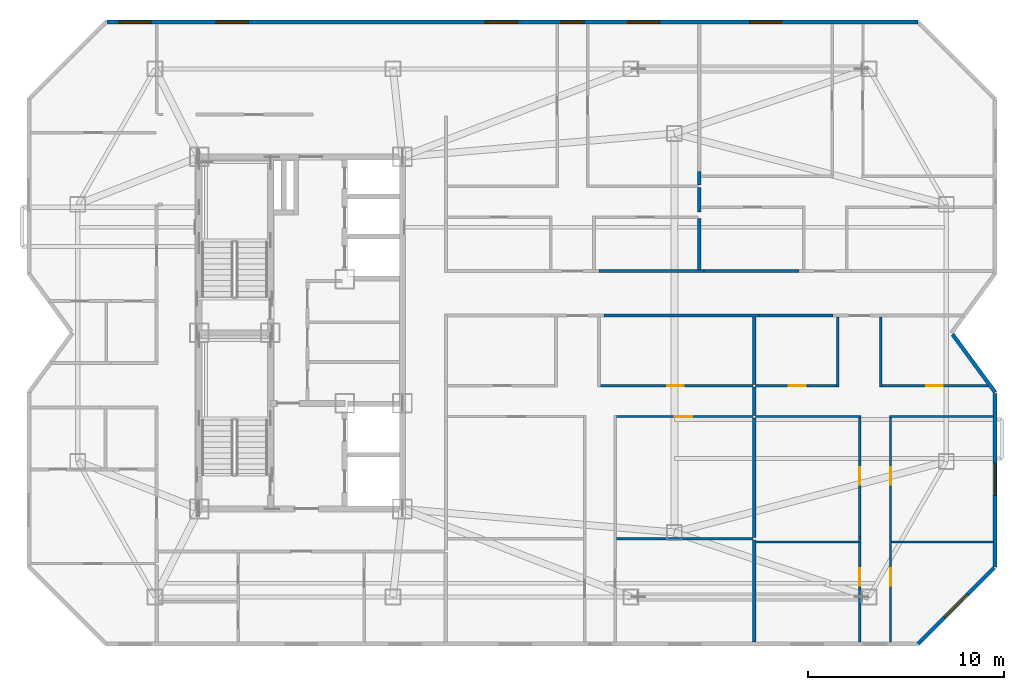
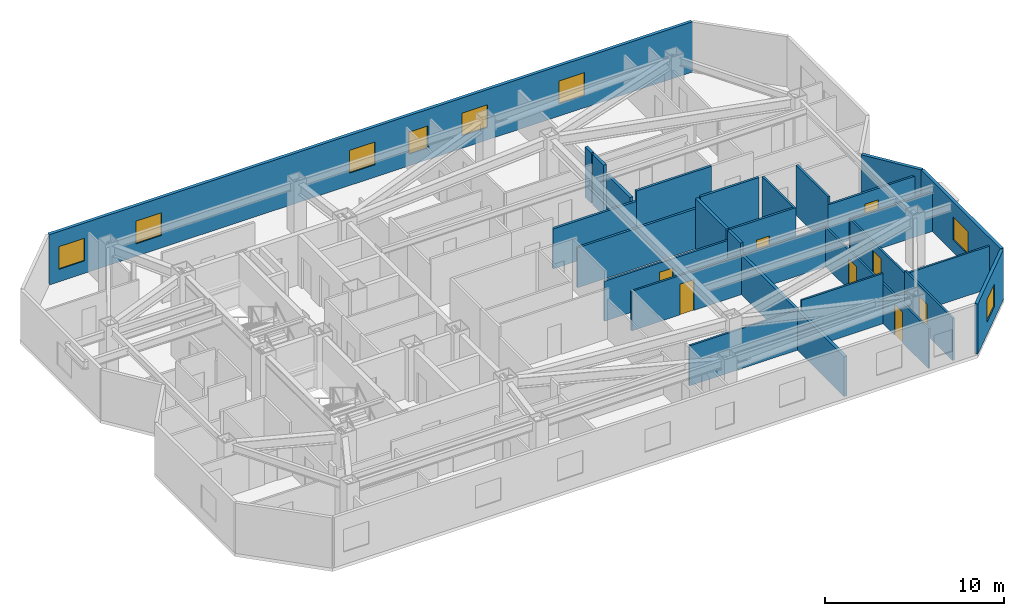
# One storey, part 7 of 9: 30 walls, 8 doors, 8 windows, 16 openings.
"""IFC4 building model written with IfcOpenShell, lengths in metres."""

from ifc_helpers import new_model, si_unit, direction, frame, frame_2d, origin, place, context, subcontext, project, spatial, rectangle, extrude, material, layer, layer_set, type_object, element, fill, save


model = new_model("IFC4")

# Units and contexts
model_context = context("Model", 3, precision=1e-05, world=origin(), true_north=direction((0.0, 1.0)))
body_context = subcontext(model_context, "Body", "Model", "MODEL_VIEW")
ifc_project = project(units=[si_unit("LENGTHUNIT", "METRE"), si_unit("AREAUNIT", "SQUARE_METRE"), si_unit("VOLUMEUNIT", "CUBIC_METRE"), si_unit("PLANEANGLEUNIT", "RADIAN"), si_unit("MASSUNIT", "GRAM", prefix="KILO")], contexts=[model_context])

# Site, building, storey
site_placement = place(None, origin())
site = spatial("IfcSite", under=ifc_project, at=site_placement, CompositionType="ELEMENT")
building_placement = place(site_placement, origin())
building = spatial("IfcBuilding", under=site, at=building_placement, Name="Khamvora Tower", CompositionType="ELEMENT")
storey_placement = place(building_placement, frame((0.0, 0.0, 235.449951171875)))
storey = spatial("IfcBuildingStorey", under=building, at=storey_placement, Name="L60", CompositionType="ELEMENT", Elevation=235.449951171875)

# Walls
ifc_material_1 = material(Name="Fire-Rated Drywall and Steel Stud", Category="steel")
ifc_layer_1 = layer(ifc_material_1, 0.14990234375)
ifc_layer_set_1 = layer_set([ifc_layer_1], Name="Fire-Rated Drywall and Steel Stud")
wall_type_1 = type_object("IfcWallType", Name="WAL-CORR-150", PredefinedType="STANDARD", material=ifc_layer_set_1)
wall_1_placement = place(storey_placement, frame((57.634033203125, 28.885009765625, 0.0), z_axis=(0.0, 0.0, 1.0), x_axis=(-1.0, 0.0, 0.0)))
element("IfcWall", 1, at=wall_1_placement, inside=storey, type_object=wall_type_1, Name="L60 interior partition wall 024", PredefinedType="STANDARD", context=body_context, shape_type="SweptSolid", body=[
    extrude(rectangle(XDim=7.93505859375, YDim=0.14990234375, at=frame_2d((3.967529296875, 0.0))), origin(), (0.0, 0.0, 1.0), 2.72509765625),
])
wall_2_placement = place(storey_placement, frame((61.407958984375, 28.885009765625, 0.0), z_axis=(0.0, 0.0, 1.0), x_axis=(-1.0, 0.0, 0.0)))
element("IfcWall", 2, at=wall_2_placement, inside=storey, type_object=wall_type_1, Name="L60 interior partition wall 028", PredefinedType="STANDARD", context=body_context, shape_type="SweptSolid", body=[
    extrude(rectangle(XDim=3.77392578125, YDim=0.14990234375, at=frame_2d((1.886962890625, 0.0))), origin(), (0.0, 0.0, 1.0), 3.429931640625),
])
wall_3_placement = place(storey_placement, frame((49.43896484375, 31.1650390625, 0.0), z_axis=(0.0, 0.0, 1.0), x_axis=(1.0, 0.0, 0.0)))
element("IfcWall", 3, at=wall_3_placement, inside=storey, type_object=wall_type_1, Name="L60 interior partition wall 034", PredefinedType="STANDARD", context=body_context, shape_type="SweptSolid", body=[
    extrude(rectangle(XDim=5.375, YDim=0.14990234375, at=frame_2d((2.6875, 0.0))), origin(), (0.0, 0.0, 1.0), 2.72509765625),
])
wall_4_placement = place(storey_placement, frame((54.81396484375, 31.1650390625, 0.0), z_axis=(0.0, 0.0, 1.0), x_axis=(1.0, 0.0, 0.0)))
element("IfcWall", 4, at=wall_4_placement, inside=storey, type_object=wall_type_1, Name="L60 interior partition wall 037", PredefinedType="STANDARD", context=body_context, shape_type="SweptSolid", body=[
    extrude(rectangle(XDim=4.846923828125, YDim=0.14990234375, at=frame_2d((2.42333984375, 0.0))), origin(), (0.0, 0.0, 1.0), 3.429931640625),
])
ifc_material_2 = material(Name="Acoustic Double-Stud Fire Wall", Category="gypsum")
ifc_layer_2 = layer(ifc_material_2, 0.179931640625)
ifc_layer_set_2 = layer_set([ifc_layer_2], Name="Acoustic Double-Stud Fire Wall")
wall_type_2 = type_object("IfcWallType", Name="WAL-CORR-180", PredefinedType="STANDARD", material=ifc_layer_set_2)
wall_5_placement = place(storey_placement, frame((57.385009765625, 25.239990234375, 0.0), z_axis=(0.0, 0.0, 1.0), x_axis=(0.0, -1.0, 0.0)))
element("IfcWall", 5, at=wall_5_placement, inside=storey, type_object=wall_type_2, Name="L60 interior partition wall 067", PredefinedType="STANDARD", context=body_context, shape_type="SweptSolid", body=[
    extrude(rectangle(XDim=1.449951171875, YDim=0.179931640625, at=frame_2d((0.72509765625, 0.0))), origin(), (0.0, 0.0, 1.0), 3.429931640625),
])
wall_6_placement = place(storey_placement, frame((57.385009765625, 28.820068359375, 0.0), z_axis=(0.0, 0.0, 1.0), x_axis=(0.0, -1.0, 0.0)))
element("IfcWall", 6, at=wall_6_placement, inside=storey, type_object=wall_type_2, Name="L60 interior partition wall 068", PredefinedType="STANDARD", context=body_context, shape_type="SweptSolid", body=[
    extrude(rectangle(XDim=3.449951171875, YDim=0.179931640625, at=frame_2d((1.72509765625, 0.0))), origin(), (0.0, 0.0, 1.0), 3.429931640625),
])
wall_7_placement = place(storey_placement, frame((57.385009765625, 17.409912109375, 0.0), z_axis=(0.0, 0.0, 1.0), x_axis=(0.0, -1.0, 0.0)))
element("IfcWall", 7, at=wall_7_placement, inside=storey, type_object=wall_type_2, Name="L60 interior partition wall 071", PredefinedType="STANDARD", context=body_context, shape_type="SweptSolid", body=[
    extrude(rectangle(XDim=5.218017578125, YDim=0.179931640625, at=frame_2d((2.60888671875, 0.0))), origin(), (0.0, 0.0, 1.0), 2.72509765625),
])
wall_8_placement = place(storey_placement, frame((57.385009765625, 23.659912109375, 0.0), z_axis=(0.0, 0.0, 1.0), x_axis=(0.0, -1.0, 0.0)))
element("IfcWall", 8, at=wall_8_placement, inside=storey, type_object=wall_type_2, Name="L60 interior partition wall 072", PredefinedType="STANDARD", context=body_context, shape_type="SweptSolid", body=[
    extrude(rectangle(XDim=6.119873046875, YDim=0.179931640625, at=frame_2d((3.06005859375, 0.0))), origin(), (0.0, 0.0, 1.0), 2.68701171875),
])
wall_9_placement = place(storey_placement, frame((54.56494140625, 35.428955078125, 0.0), z_axis=(0.0, 0.0, 1.0), x_axis=(0.0, -1.0, 0.0)))
element("IfcWall", 9, at=wall_9_placement, inside=storey, type_object=wall_type_2, Name="L60 interior partition wall 093", PredefinedType="STANDARD", context=body_context, shape_type="SweptSolid", body=[
    extrude(rectangle(XDim=1.25390625, YDim=0.179931640625, at=frame_2d((0.626953125, 0.0))), origin(), (0.0, 0.0, 1.0), 3.429931640625),
])
wall_10_placement = place(storey_placement, frame((54.56494140625, 33.84912109375, 0.0), z_axis=(0.0, 0.0, 1.0), x_axis=(0.0, -1.0, 0.0)))
element("IfcWall", 10, at=wall_10_placement, inside=storey, type_object=wall_type_2, Name="L60 interior partition wall 094", PredefinedType="STANDARD", context=body_context, shape_type="SweptSolid", body=[
    extrude(rectangle(XDim=2.619140625, YDim=0.179931640625, at=frame_2d((1.3095703125, 0.0))), origin(), (0.0, 0.0, 1.0), 3.012939453125),
])
wall_11_placement = place(storey_placement, frame((54.56494140625, 36.2529296875, 0.0), z_axis=(0.0, 0.0, 1.0), x_axis=(0.0, -1.0, 0.0)))
element("IfcWall", 11, at=wall_11_placement, inside=storey, type_object=wall_type_2, Name="L60 interior partition wall 095", PredefinedType="STANDARD", context=body_context, shape_type="SweptSolid", body=[
    extrude(rectangle(XDim=0.69384765625, YDim=0.179931640625, at=frame_2d((0.346923828125, 0.0))), origin(), (0.0, 0.0, 1.0), 3.429931640625),
])

# Wall, openings, windows
ifc_material_3 = material(Name="Precast concrete C40/50", Category="concrete")
ifc_layer_3 = layer(ifc_material_3, 0.199951171875)
ifc_layer_set_3 = layer_set([ifc_layer_3], Name="Precast concrete C40/50")
wall_type_3 = type_object("IfcWallType", Name="WAL-EXT-200", PredefinedType="STANDARD", material=ifc_layer_set_3)
wall_12_placement = place(storey_placement, frame((24.302001953125, 43.89990234375, 0.0), z_axis=(0.0, 0.0, 1.0), x_axis=(1.0, 0.0, 0.0)))
wall_12 = element("IfcWall", 12, at=wall_12_placement, inside=storey, type_object=wall_type_3, Name="L60 exterior facade wall 07.1", PredefinedType="STANDARD", context=body_context, shape_type="SweptSolid", body=[
    extrude(rectangle(XDim=41.45703125, YDim=0.199951171875, at=frame_2d((20.728515625, 0.0))), origin(), (0.0, 0.0, 1.0), 3.429931640625),
])
opening_1_placement = place(wall_12_placement, frame((5.572998046875, 0.0, 0.85009765625)))
opening_1 = element("IfcOpeningElement", 13, at=opening_1_placement, cuts=wall_12, Name="Opening WN-06", PredefinedType="OPENING", context=body_context, shape_type="SweptSolid", body=[
    extrude(rectangle(XDim=1.64990234375, YDim=1.550048828125, at=frame_2d((0.824951171875, 0.77490234375))), frame((0.0, 0.10986328125, 0.0), z_axis=(0.0, -1.0, 0.0), x_axis=(1.0, 0.0, 0.0)), (0.0, 0.0, 1.0), 0.219970703125),
])
opening_2_placement = place(wall_12_placement, frame((0.60400390625, 0.0, 0.85009765625)))
opening_2 = element("IfcOpeningElement", 14, at=opening_2_placement, cuts=wall_12, Name="Opening WN-06", PredefinedType="OPENING", context=body_context, shape_type="SweptSolid", body=[
    extrude(rectangle(XDim=1.64990234375, YDim=1.550048828125, at=frame_2d((0.824951171875, 0.77490234375))), frame((0.0, 0.10986328125, 0.0), z_axis=(0.0, -1.0, 0.0), x_axis=(1.0, 0.0, 0.0)), (0.0, 0.0, 1.0), 0.219970703125),
])
opening_3_placement = place(wall_12_placement, frame((23.18798828125, 0.0, 0.800048828125)))
opening_3 = element("IfcOpeningElement", 15, at=opening_3_placement, cuts=wall_12, Name="Opening WN-03", PredefinedType="OPENING", context=body_context, shape_type="SweptSolid", body=[
    extrude(rectangle(XDim=1.199951171875, YDim=1.5, at=frame_2d((0.60009765625, 0.75))), frame((0.0, 0.10986328125, 0.0), z_axis=(0.0, -1.0, 0.0), x_axis=(1.0, 0.0, 0.0)), (0.0, 0.0, 1.0), 0.219970703125),
])
opening_4_placement = place(wall_12_placement, frame((19.3330078125, 0.0, 0.85009765625)))
opening_4 = element("IfcOpeningElement", 16, at=opening_4_placement, cuts=wall_12, Name="Opening WN-06", PredefinedType="OPENING", context=body_context, shape_type="SweptSolid", body=[
    extrude(rectangle(XDim=1.64990234375, YDim=1.550048828125, at=frame_2d((0.824951171875, 0.77490234375))), frame((0.0, 0.10986328125, 0.0), z_axis=(0.0, -1.0, 0.0), x_axis=(1.0, 0.0, 0.0)), (0.0, 0.0, 1.0), 0.219970703125),
])
opening_5_placement = place(wall_12_placement, frame((26.593017578125, 0.0, 0.85009765625)))
opening_5 = element("IfcOpeningElement", 17, at=opening_5_placement, cuts=wall_12, Name="Opening WN-06", PredefinedType="OPENING", context=body_context, shape_type="SweptSolid", body=[
    extrude(rectangle(XDim=1.64990234375, YDim=1.550048828125, at=frame_2d((0.824951171875, 0.77490234375))), frame((0.0, 0.10986328125, 0.0), z_axis=(0.0, -1.0, 0.0), x_axis=(1.0, 0.0, 0.0)), (0.0, 0.0, 1.0), 0.219970703125),
])
opening_6_placement = place(wall_12_placement, frame((32.843017578125, 0.0, 0.85009765625)))
opening_6 = element("IfcOpeningElement", 18, at=opening_6_placement, cuts=wall_12, Name="Opening WN-06", PredefinedType="OPENING", context=body_context, shape_type="SweptSolid", body=[
    extrude(rectangle(XDim=1.64990234375, YDim=1.550048828125, at=frame_2d((0.824951171875, 0.77490234375))), frame((0.0, 0.10986328125, 0.0), z_axis=(0.0, -1.0, 0.0), x_axis=(1.0, 0.0, 0.0)), (0.0, 0.0, 1.0), 0.219970703125),
])
ifc_material_4 = material(Name="Low-E Laminated Double Glazing", Category="glass")
window_type_1 = type_object("IfcWindowType", Name="WIN-VIS-1200x1500", PartitioningType="SINGLE_PANEL", PredefinedType="WINDOW", material=ifc_material_4)
window_1_placement = place(opening_3_placement, origin())
window_1 = element("IfcWindow", 19, at=window_1_placement, inside=storey, type_object=window_type_1, Name="L60 vision window 07.1.03", OverallHeight=1.5, OverallWidth=1.199951171875, PartitioningType="SINGLE_PANEL", PredefinedType="WINDOW", context=body_context, shape_type="SweptSolid", body=[
    extrude(rectangle(XDim=1.199951171875, YDim=1.5, at=frame_2d((0.60009765625, 0.75))), frame((0.0, 0.030029296875, 0.0), z_axis=(0.0, -1.0, 0.0), x_axis=(1.0, 0.0, 0.0)), (0.0, 0.0, 1.0), 0.06005859375),
])
fill(opening_3, window_1)
window_type_2 = type_object("IfcWindowType", Name="WIN-VIS-1650x1550", PartitioningType="SINGLE_PANEL", PredefinedType="WINDOW", material=ifc_material_4)
window_2_placement = place(opening_1_placement, origin())
window_2 = element("IfcWindow", 20, at=window_2_placement, inside=storey, type_object=window_type_2, Name="L60 vision window 07.1.01", OverallHeight=1.550048828125, OverallWidth=1.64990234375, PartitioningType="SINGLE_PANEL", PredefinedType="WINDOW", context=body_context, shape_type="SweptSolid", body=[
    extrude(rectangle(XDim=1.64990234375, YDim=1.550048828125, at=frame_2d((0.824951171875, 0.77490234375))), frame((0.0, 0.030029296875, 0.0), z_axis=(0.0, -1.0, 0.0), x_axis=(1.0, 0.0, 0.0)), (0.0, 0.0, 1.0), 0.06005859375),
])
fill(opening_1, window_2)
window_3_placement = place(opening_2_placement, origin())
window_3 = element("IfcWindow", 21, at=window_3_placement, inside=storey, type_object=window_type_2, Name="L60 vision window 07.1.02", OverallHeight=1.550048828125, OverallWidth=1.64990234375, PartitioningType="SINGLE_PANEL", PredefinedType="WINDOW", context=body_context, shape_type="SweptSolid", body=[
    extrude(rectangle(XDim=1.64990234375, YDim=1.550048828125, at=frame_2d((0.824951171875, 0.77490234375))), frame((0.0, 0.030029296875, 0.0), z_axis=(0.0, -1.0, 0.0), x_axis=(1.0, 0.0, 0.0)), (0.0, 0.0, 1.0), 0.06005859375),
])
fill(opening_2, window_3)
window_4_placement = place(opening_4_placement, origin())
window_4 = element("IfcWindow", 22, at=window_4_placement, inside=storey, type_object=window_type_2, Name="L60 vision window 07.1.04", OverallHeight=1.550048828125, OverallWidth=1.64990234375, PartitioningType="SINGLE_PANEL", PredefinedType="WINDOW", context=body_context, shape_type="SweptSolid", body=[
    extrude(rectangle(XDim=1.64990234375, YDim=1.550048828125, at=frame_2d((0.824951171875, 0.77490234375))), frame((0.0, 0.030029296875, 0.0), z_axis=(0.0, -1.0, 0.0), x_axis=(1.0, 0.0, 0.0)), (0.0, 0.0, 1.0), 0.06005859375),
])
fill(opening_4, window_4)
window_5_placement = place(opening_5_placement, origin())
window_5 = element("IfcWindow", 23, at=window_5_placement, inside=storey, type_object=window_type_2, Name="L60 vision window 07.1.05", OverallHeight=1.550048828125, OverallWidth=1.64990234375, PartitioningType="SINGLE_PANEL", PredefinedType="WINDOW", context=body_context, shape_type="SweptSolid", body=[
    extrude(rectangle(XDim=1.64990234375, YDim=1.550048828125, at=frame_2d((0.824951171875, 0.77490234375))), frame((0.0, 0.030029296875, 0.0), z_axis=(0.0, -1.0, 0.0), x_axis=(1.0, 0.0, 0.0)), (0.0, 0.0, 1.0), 0.06005859375),
])
fill(opening_5, window_5)
window_6_placement = place(opening_6_placement, origin())
window_6 = element("IfcWindow", 24, at=window_6_placement, inside=storey, type_object=window_type_2, Name="L60 vision window 07.1.06", OverallHeight=1.550048828125, OverallWidth=1.64990234375, PartitioningType="SINGLE_PANEL", PredefinedType="WINDOW", context=body_context, shape_type="SweptSolid", body=[
    extrude(rectangle(XDim=1.64990234375, YDim=1.550048828125, at=frame_2d((0.824951171875, 0.77490234375))), frame((0.0, 0.030029296875, 0.0), z_axis=(0.0, -1.0, 0.0), x_axis=(1.0, 0.0, 0.0)), (0.0, 0.0, 1.0), 0.06005859375),
])
fill(opening_6, window_6)

# Wall
wall_13_placement = place(storey_placement, frame((67.527099609375, 27.930908203125, 0.0), z_axis=(0.0, 0.0, 1.0), x_axis=(0.591248456881, -0.80648946815, 0.0)))
element("IfcWall", 25, at=wall_13_placement, inside=storey, type_object=wall_type_3, Name="L60 exterior facade wall 11.1", PredefinedType="STANDARD", context=body_context, shape_type="SweptSolid", body=[
    extrude(rectangle(XDim=3.675048828125, YDim=0.199951171875, at=frame_2d((1.83740234375, 0.0))), origin(), (0.0, 0.0, 1.0), 3.429931640625),
])

# Wall, opening, window
wall_14_placement = place(storey_placement, frame((69.699951171875, 24.916015625, 0.0), z_axis=(0.0, 0.0, 1.0), x_axis=(0.0, -1.0, 0.0)))
wall_14 = element("IfcWall", 26, at=wall_14_placement, inside=storey, type_object=wall_type_3, Name="L60 exterior facade wall 12.1", PredefinedType="STANDARD", context=body_context, shape_type="SweptSolid", body=[
    extrude(rectangle(XDim=8.875, YDim=0.199951171875, at=frame_2d((4.4375, 0.0))), origin(), (0.0, 0.0, 1.0), 3.429931640625),
])
opening_7_placement = place(wall_14_placement, frame((3.572021484375, 0.0, 0.85009765625)))
opening_7 = element("IfcOpeningElement", 27, at=opening_7_placement, cuts=wall_14, Name="Opening WN-06", PredefinedType="OPENING", context=body_context, shape_type="SweptSolid", body=[
    extrude(rectangle(XDim=1.64990234375, YDim=1.550048828125, at=frame_2d((0.824951171875, 0.77490234375))), frame((0.0, 0.10986328125, 0.0), z_axis=(0.0, -1.0, 0.0), x_axis=(1.0, 0.0, 0.0)), (0.0, 0.0, 1.0), 0.219970703125),
])
window_7_placement = place(opening_7_placement, origin())
window_7 = element("IfcWindow", 28, at=window_7_placement, inside=storey, type_object=window_type_2, Name="L60 vision window 12.1.01", OverallHeight=1.550048828125, OverallWidth=1.64990234375, PartitioningType="SINGLE_PANEL", PredefinedType="WINDOW", context=body_context, shape_type="SweptSolid", body=[
    extrude(rectangle(XDim=1.64990234375, YDim=1.550048828125, at=frame_2d((0.824951171875, 0.77490234375))), frame((0.0, 0.030029296875, 0.0), z_axis=(0.0, -1.0, 0.0), x_axis=(1.0, 0.0, 0.0)), (0.0, 0.0, 1.0), 0.06005859375),
])
fill(opening_7, window_7)

wall_15_placement = place(storey_placement, frame((69.655029296875, 15.99609375, 0.0), z_axis=(0.0, 0.0, 1.0), x_axis=(-0.707106781187, -0.707106781187, 0.0)))
wall_15 = element("IfcWall", 29, at=wall_15_placement, inside=storey, type_object=wall_type_3, Name="L60 exterior facade wall 13.1", PredefinedType="STANDARD", context=body_context, shape_type="SweptSolid", body=[
    extrude(rectangle(XDim=5.509765625, YDim=0.199951171875, at=frame_2d((2.7548828125, 0.0))), origin(), (0.0, 0.0, 1.0), 3.429931640625),
])
opening_8_placement = place(wall_15_placement, frame((1.929931640625, 0.0, 0.85009765625)))
opening_8 = element("IfcOpeningElement", 30, at=opening_8_placement, cuts=wall_15, Name="Opening WN-06", PredefinedType="OPENING", context=body_context, shape_type="SweptSolid", body=[
    extrude(rectangle(XDim=1.64990234375, YDim=1.550048828125, at=frame_2d((0.824951171875, 0.77490234375))), frame((0.0, 0.10986328125, 0.0), z_axis=(0.0, -1.0, 0.0), x_axis=(1.0, 0.0, 0.0)), (0.0, 0.0, 1.0), 0.219970703125),
])
window_8_placement = place(opening_8_placement, origin())
window_8 = element("IfcWindow", 31, at=window_8_placement, inside=storey, type_object=window_type_2, Name="L60 vision window 13.1.01", OverallHeight=1.550048828125, OverallWidth=1.64990234375, PartitioningType="SINGLE_PANEL", PredefinedType="WINDOW", context=body_context, shape_type="SweptSolid", body=[
    extrude(rectangle(XDim=1.64990234375, YDim=1.550048828125, at=frame_2d((0.824951171875, 0.77490234375))), frame((0.0, 0.030029296875, 0.0), z_axis=(0.0, -1.0, 0.0), x_axis=(1.0, 0.0, 0.0)), (0.0, 0.0, 1.0), 0.06005859375),
])
fill(opening_8, window_8)

# Wall, opening, door
ifc_material_5 = material(Name="Gypsum Plasterboard Partition", Category="gypsum")
ifc_layer_4 = layer(ifc_material_5, 0.1201171875)
ifc_layer_set_4 = layer_set([ifc_layer_4], Name="Gypsum Plasterboard Partition")
wall_type_4 = type_object("IfcWallType", Name="WAL-PART-120", PredefinedType="PARTITIONING", material=ifc_layer_set_4)
wall_16_placement = place(storey_placement, frame((57.320068359375, 23.72509765625, 0.0), z_axis=(0.0, 0.0, 1.0), x_axis=(-1.0, 0.0, 0.0)))
wall_16 = element("IfcWall", 32, at=wall_16_placement, inside=storey, type_object=wall_type_4, Name="L60 interior partition wall 065", PredefinedType="PARTITIONING", context=body_context, shape_type="SweptSolid", body=[
    extrude(rectangle(XDim=7.10009765625, YDim=0.1201171875, at=frame_2d((3.550048828125, 0.0))), origin(), (0.0, 0.0, 1.0), 2.68701171875),
])
opening_9_placement = place(wall_16_placement, frame((3.10009765625, 0.0, 0.0)))
opening_9 = element("IfcOpeningElement", 33, at=opening_9_placement, cuts=wall_16, Name="Opening D-RM1", PredefinedType="OPENING", context=body_context, shape_type="SweptSolid", body=[
    extrude(rectangle(XDim=0.89990234375, YDim=2.10009765625, at=frame_2d((0.449951171875, 1.050048828125))), frame((0.0, 0.070068359375, 0.0), z_axis=(0.0, -1.0, 0.0), x_axis=(1.0, 0.0, 0.0)), (0.0, 0.0, 1.0), 0.14013671875),
])
ifc_material_6 = material(Name="Powder-Coated Steel and Hardwood Leaf", Category="steel")
door_type_1 = type_object("IfcDoorType", Name="DOR-ROOM-900", OperationType="NOTDEFINED", PredefinedType="DOOR", material=ifc_material_6)
door_1_placement = place(opening_9_placement, origin())
door_1 = element("IfcDoor", 34, at=door_1_placement, inside=storey, type_object=door_type_1, Name="L60 interior door 60EAH-60EAR4", OperationType="SINGLE_SWING_RIGHT", OverallHeight=2.10009765625, OverallWidth=0.89990234375, PredefinedType="DOOR", context=body_context, shape_type="SweptSolid", body=[
    extrude(rectangle(XDim=0.89990234375, YDim=2.10009765625, at=frame_2d((0.449951171875, 1.050048828125))), frame((0.0, 0.02490234375, 0.0), z_axis=(0.0, -1.0, 0.0), x_axis=(1.0, 0.0, 0.0)), (0.0, 0.0, 1.0), 0.050048828125),
])
fill(opening_9, door_1)

# Wall
wall_17_placement = place(storey_placement, frame((50.339111328125, 17.47509765625, 0.0), z_axis=(0.0, 0.0, 1.0), x_axis=(1.0, 0.0, 0.0)))
element("IfcWall", 35, at=wall_17_placement, inside=storey, type_object=wall_type_4, Name="L60 interior partition wall 070", PredefinedType="PARTITIONING", context=body_context, shape_type="SweptSolid", body=[
    extrude(rectangle(XDim=6.98095703125, YDim=0.1201171875, at=frame_2d((3.490478515625, 0.0))), origin(), (0.0, 0.0, 1.0), 2.72509765625),
])

# Wall, opening, door
wall_18_placement = place(storey_placement, frame((62.784912109375, 12.19189453125, 0.0), z_axis=(0.0, 0.0, 1.0), x_axis=(0.0, 1.0, 0.0)))
wall_18 = element("IfcWall", 36, at=wall_18_placement, inside=storey, type_object=wall_type_4, Name="L60 interior partition wall 077", PredefinedType="PARTITIONING", context=body_context, shape_type="SweptSolid", body=[
    extrude(rectangle(XDim=5.3701171875, YDim=0.1201171875, at=frame_2d((2.68505859375, 0.0))), origin(), (0.0, 0.0, 1.0), 2.72509765625),
])
opening_10_placement = place(wall_18_placement, frame((2.875, 0.0, 0.0)))
opening_10 = element("IfcOpeningElement", 37, at=opening_10_placement, cuts=wall_18, Name="Opening D-RM1", PredefinedType="OPENING", context=body_context, shape_type="SweptSolid", body=[
    extrude(rectangle(XDim=0.89990234375, YDim=2.10009765625, at=frame_2d((0.449951171875, 1.050048828125))), frame((0.0, 0.070068359375, 0.0), z_axis=(0.0, -1.0, 0.0), x_axis=(1.0, 0.0, 0.0)), (0.0, 0.0, 1.0), 0.14013671875),
])
door_2_placement = place(opening_10_placement, origin())
door_2 = element("IfcDoor", 38, at=door_2_placement, inside=storey, type_object=door_type_1, Name="L60 interior door 60EBH-60EBL", OperationType="SINGLE_SWING_RIGHT", OverallHeight=2.10009765625, OverallWidth=0.89990234375, PredefinedType="DOOR", context=body_context, shape_type="SweptSolid", body=[
    extrude(rectangle(XDim=0.89990234375, YDim=2.10009765625, at=frame_2d((0.449951171875, 1.050048828125))), frame((0.0, 0.02490234375, 0.0), z_axis=(0.0, -1.0, 0.0), x_axis=(1.0, 0.0, 0.0)), (0.0, 0.0, 1.0), 0.050048828125),
])
fill(opening_10, door_2)

wall_19_placement = place(storey_placement, frame((62.784912109375, 17.56201171875, 0.0), z_axis=(0.0, 0.0, 1.0), x_axis=(0.0, 1.0, 0.0)))
wall_19 = element("IfcWall", 39, at=wall_19_placement, inside=storey, type_object=wall_type_4, Name="L60 interior partition wall 078", PredefinedType="PARTITIONING", context=body_context, shape_type="SweptSolid", body=[
    extrude(rectangle(XDim=6.22802734375, YDim=0.1201171875, at=frame_2d((3.114013671875, 0.0))), origin(), (0.0, 0.0, 1.0), 2.68701171875),
])
opening_11_placement = place(wall_19_placement, frame((2.6640625, 0.0, 0.0)))
opening_11 = element("IfcOpeningElement", 40, at=opening_11_placement, cuts=wall_19, Name="Opening D-RM1", PredefinedType="OPENING", context=body_context, shape_type="SweptSolid", body=[
    extrude(rectangle(XDim=0.89990234375, YDim=2.10009765625, at=frame_2d((0.449951171875, 1.050048828125))), frame((0.0, 0.070068359375, 0.0), z_axis=(0.0, -1.0, 0.0), x_axis=(1.0, 0.0, 0.0)), (0.0, 0.0, 1.0), 0.14013671875),
])
door_3_placement = place(opening_11_placement, origin())
door_3 = element("IfcDoor", 41, at=door_3_placement, inside=storey, type_object=door_type_1, Name="L60 interior door 60EBH-60EBR2", OperationType="SINGLE_SWING_RIGHT", OverallHeight=2.10009765625, OverallWidth=0.89990234375, PredefinedType="DOOR", context=body_context, shape_type="SweptSolid", body=[
    extrude(rectangle(XDim=0.89990234375, YDim=2.10009765625, at=frame_2d((0.449951171875, 1.050048828125))), frame((0.0, 0.02490234375, 0.0), z_axis=(0.0, -1.0, 0.0), x_axis=(1.0, 0.0, 0.0)), (0.0, 0.0, 1.0), 0.050048828125),
])
fill(opening_11, door_3)

# Wall
wall_20_placement = place(storey_placement, frame((62.85009765625, 23.72509765625, 0.0), z_axis=(0.0, 0.0, 1.0), x_axis=(-1.0, 0.0, 0.0)))
element("IfcWall", 42, at=wall_20_placement, inside=storey, type_object=wall_type_4, Name="L60 interior partition wall 079", PredefinedType="PARTITIONING", context=body_context, shape_type="SweptSolid", body=[
    extrude(rectangle(XDim=5.400146484375, YDim=0.1201171875, at=frame_2d((2.7001953125, 0.0))), origin(), (0.0, 0.0, 1.0), 2.68701171875),
])

# Wall, opening, door
wall_21_placement = place(storey_placement, frame((64.35498046875, 17.56201171875, 0.0), z_axis=(0.0, 0.0, 1.0), x_axis=(0.0, -1.0, 0.0)))
wall_21 = element("IfcWall", 43, at=wall_21_placement, inside=storey, type_object=wall_type_4, Name="L60 interior partition wall 080", PredefinedType="PARTITIONING", context=body_context, shape_type="SweptSolid", body=[
    extrude(rectangle(XDim=5.3701171875, YDim=0.1201171875, at=frame_2d((2.68505859375, 0.0))), origin(), (0.0, 0.0, 1.0), 2.886962890625),
])
opening_12_placement = place(wall_21_placement, frame((1.594970703125, 0.0, 0.0)))
opening_12 = element("IfcOpeningElement", 44, at=opening_12_placement, cuts=wall_21, Name="Opening D-RM1", PredefinedType="OPENING", context=body_context, shape_type="SweptSolid", body=[
    extrude(rectangle(XDim=0.89990234375, YDim=2.10009765625, at=frame_2d((0.449951171875, 1.050048828125))), frame((0.0, 0.070068359375, 0.0), z_axis=(0.0, -1.0, 0.0), x_axis=(1.0, 0.0, 0.0)), (0.0, 0.0, 1.0), 0.14013671875),
])
door_4_placement = place(opening_12_placement, origin())
door_4 = element("IfcDoor", 45, at=door_4_placement, inside=storey, type_object=door_type_1, Name="L60 interior door 60EBH-60EBR3", OperationType="SINGLE_SWING_LEFT", OverallHeight=2.10009765625, OverallWidth=0.89990234375, PredefinedType="DOOR", context=body_context, shape_type="SweptSolid", body=[
    extrude(rectangle(XDim=0.89990234375, YDim=2.10009765625, at=frame_2d((0.449951171875, 1.050048828125))), frame((0.0, 0.02490234375, 0.0), z_axis=(0.0, -1.0, 0.0), x_axis=(1.0, 0.0, 0.0)), (0.0, 0.0, 1.0), 0.050048828125),
])
fill(opening_12, door_4)

wall_22_placement = place(storey_placement, frame((64.35498046875, 23.7900390625, 0.0), z_axis=(0.0, 0.0, 1.0), x_axis=(0.0, -1.0, 0.0)))
wall_22 = element("IfcWall", 46, at=wall_22_placement, inside=storey, type_object=wall_type_4, Name="L60 interior partition wall 081", PredefinedType="PARTITIONING", context=body_context, shape_type="SweptSolid", body=[
    extrude(rectangle(XDim=6.22802734375, YDim=0.1201171875, at=frame_2d((3.114013671875, 0.0))), origin(), (0.0, 0.0, 1.0), 2.68701171875),
])
opening_13_placement = place(wall_22_placement, frame((2.6640625, 0.0, 0.0)))
opening_13 = element("IfcOpeningElement", 47, at=opening_13_placement, cuts=wall_22, Name="Opening D-RM1", PredefinedType="OPENING", context=body_context, shape_type="SweptSolid", body=[
    extrude(rectangle(XDim=0.89990234375, YDim=2.10009765625, at=frame_2d((0.449951171875, 1.050048828125))), frame((0.0, 0.070068359375, 0.0), z_axis=(0.0, -1.0, 0.0), x_axis=(1.0, 0.0, 0.0)), (0.0, 0.0, 1.0), 0.14013671875),
])
door_5_placement = place(opening_13_placement, origin())
door_5 = element("IfcDoor", 48, at=door_5_placement, inside=storey, type_object=door_type_1, Name="L60 interior door 60EBH-60EBR4", OperationType="SINGLE_SWING_LEFT", OverallHeight=2.10009765625, OverallWidth=0.89990234375, PredefinedType="DOOR", context=body_context, shape_type="SweptSolid", body=[
    extrude(rectangle(XDim=0.89990234375, YDim=2.10009765625, at=frame_2d((0.449951171875, 1.050048828125))), frame((0.0, 0.02490234375, 0.0), z_axis=(0.0, -1.0, 0.0), x_axis=(1.0, 0.0, 0.0)), (0.0, 0.0, 1.0), 0.050048828125),
])
fill(opening_13, door_5)

# Walls
wall_23_placement = place(storey_placement, frame((69.60791015625, 23.72509765625, 0.0), z_axis=(0.0, 0.0, 1.0), x_axis=(-1.0, 0.0, 0.0)))
element("IfcWall", 49, at=wall_23_placement, inside=storey, type_object=wall_type_4, Name="L60 interior partition wall 082", PredefinedType="PARTITIONING", context=body_context, shape_type="SweptSolid", body=[
    extrude(rectangle(XDim=5.31787109375, YDim=0.1201171875, at=frame_2d((2.658935546875, 0.0))), origin(), (0.0, 0.0, 1.0), 2.68701171875),
])
wall_24_placement = place(storey_placement, frame((57.467041015625, 17.31298828125, 0.0), z_axis=(0.0, 0.0, 1.0), x_axis=(1.0, 0.0, 0.0)))
element("IfcWall", 50, at=wall_24_placement, inside=storey, type_object=wall_type_4, Name="L60 interior partition wall 083", PredefinedType="PARTITIONING", context=body_context, shape_type="SweptSolid", body=[
    extrude(rectangle(XDim=5.263916015625, YDim=0.1201171875, at=frame_2d((2.6318359375, 0.0))), origin(), (0.0, 0.0, 1.0), 3.429931640625),
])
wall_25_placement = place(storey_placement, frame((64.408935546875, 17.31298828125, 0.0), z_axis=(0.0, 0.0, 1.0), x_axis=(1.0, 0.0, 0.0)))
element("IfcWall", 51, at=wall_25_placement, inside=storey, type_object=wall_type_4, Name="L60 interior partition wall 084", PredefinedType="PARTITIONING", context=body_context, shape_type="SweptSolid", body=[
    extrude(rectangle(XDim=5.198974609375, YDim=0.1201171875, at=frame_2d((2.599609375, 0.0))), origin(), (0.0, 0.0, 1.0), 2.886962890625),
])

# Wall, opening, door
ifc_material_7 = material(Name="Moisture-Resistant Plasterboard Partition", Category="gypsum")
ifc_layer_5 = layer(ifc_material_7, 0.135009765625)
ifc_layer_set_5 = layer_set([ifc_layer_5], Name="Moisture-Resistant Plasterboard Partition")
wall_type_5 = type_object("IfcWallType", Name="WAL-WET-135", PredefinedType="PARTITIONING", material=ifc_layer_set_5)
wall_26_placement = place(storey_placement, frame((49.385009765625, 25.304931640625, 0.0), z_axis=(0.0, 0.0, 1.0), x_axis=(1.0, 0.0, 0.0)))
wall_26 = element("IfcWall", 52, at=wall_26_placement, inside=storey, type_object=wall_type_5, Name="L60 interior partition wall 060", PredefinedType="PARTITIONING", context=body_context, shape_type="SweptSolid", body=[
    extrude(rectangle(XDim=7.93505859375, YDim=0.135009765625, at=frame_2d((3.967529296875, 0.0))), origin(), (0.0, 0.0, 1.0), 2.72509765625),
])
opening_14_placement = place(wall_26_placement, frame((3.5419921875, 0.0, 0.0)))
opening_14 = element("IfcOpeningElement", 53, at=opening_14_placement, cuts=wall_26, Name="Opening D-RM2", PredefinedType="OPENING", context=body_context, shape_type="SweptSolid", body=[
    extrude(rectangle(XDim=0.85009765625, YDim=2.10009765625, at=frame_2d((0.425048828125, 1.050048828125))), frame((0.0, 0.077392578125, 0.0), z_axis=(0.0, -1.0, 0.0), x_axis=(1.0, 0.0, 0.0)), (0.0, 0.0, 1.0), 0.155029296875),
])
door_type_2 = type_object("IfcDoorType", Name="DOR-ROOM-850", OperationType="NOTDEFINED", PredefinedType="DOOR", material=ifc_material_6)
door_6_placement = place(opening_14_placement, origin())
door_6 = element("IfcDoor", 54, at=door_6_placement, inside=storey, type_object=door_type_2, Name="L60 interior door 60EAH-60EAK", OperationType="SINGLE_SWING_LEFT", OverallHeight=2.10009765625, OverallWidth=0.85009765625, PredefinedType="DOOR", context=body_context, shape_type="SweptSolid", body=[
    extrude(rectangle(XDim=0.85009765625, YDim=2.10009765625, at=frame_2d((0.425048828125, 1.050048828125))), frame((0.0, 0.02490234375, 0.0), z_axis=(0.0, -1.0, 0.0), x_axis=(1.0, 0.0, 0.0)), (0.0, 0.0, 1.0), 0.050048828125),
])
fill(opening_14, door_6)

wall_27_placement = place(storey_placement, frame((57.449951171875, 25.304931640625, 0.0), z_axis=(0.0, 0.0, 1.0), x_axis=(1.0, 0.0, 0.0)))
wall_27 = element("IfcWall", 55, at=wall_27_placement, inside=storey, type_object=wall_type_5, Name="L60 interior partition wall 073", PredefinedType="PARTITIONING", context=body_context, shape_type="SweptSolid", body=[
    extrude(rectangle(XDim=4.27197265625, YDim=0.135009765625, at=frame_2d((2.135986328125, 0.0))), origin(), (0.0, 0.0, 1.0), 3.429931640625),
])
opening_15_placement = place(wall_27_placement, frame((1.7109375, 0.0, 0.0)))
opening_15 = element("IfcOpeningElement", 56, at=opening_15_placement, cuts=wall_27, Name="Opening D-WC1", PredefinedType="OPENING", context=body_context, shape_type="SweptSolid", body=[
    extrude(rectangle(XDim=0.85009765625, YDim=2.10009765625, at=frame_2d((0.425048828125, 1.050048828125))), frame((0.0, 0.077392578125, 0.0), z_axis=(0.0, -1.0, 0.0), x_axis=(1.0, 0.0, 0.0)), (0.0, 0.0, 1.0), 0.155029296875),
])
door_type_3 = type_object("IfcDoorType", Name="DOR-WET-850", OperationType="NOTDEFINED", PredefinedType="DOOR", material=ifc_material_6)
door_7_placement = place(opening_15_placement, origin())
door_7 = element("IfcDoor", 57, at=door_7_placement, inside=storey, type_object=door_type_3, Name="L60 interior door 60EBH-60EBB", OperationType="SINGLE_SWING_LEFT", OverallHeight=2.10009765625, OverallWidth=0.85009765625, PredefinedType="DOOR", context=body_context, shape_type="SweptSolid", body=[
    extrude(rectangle(XDim=0.85009765625, YDim=2.10009765625, at=frame_2d((0.425048828125, 1.050048828125))), frame((0.0, 0.02490234375, 0.0), z_axis=(0.0, -1.0, 0.0), x_axis=(1.0, 0.0, 0.0)), (0.0, 0.0, 1.0), 0.050048828125),
])
fill(opening_15, door_7)

# Walls
for number, where, z_axis, x_axis, name in (
    (58, (61.656982421875, 25.239990234375, 0.0), (0.0, 0.0, 1.0), (0.0, 1.0, 0.0), "L60 interior partition wall 074"),
    (59, (63.85693359375, 28.820068359375, 0.0), (0.0, 0.0, 1.0), (0.0, -1.0, 0.0), "L60 interior partition wall 075"),
):
    element("IfcWall", number, at=place(storey_placement, frame(where, z_axis=z_axis, x_axis=x_axis)), inside=storey, type_object=wall_type_5, Name=name, PredefinedType="PARTITIONING", context=body_context, shape_type="SweptSolid", body=[
        extrude(rectangle(XDim=3.580078125, YDim=0.135009765625, at=frame_2d((1.7900390625, 0.0))), origin(), (0.0, 0.0, 1.0), 3.429931640625),
    ])

# Wall, opening, door
wall_28_placement = place(storey_placement, frame((63.7919921875, 25.304931640625, 0.0), z_axis=(0.0, 0.0, 1.0), x_axis=(1.0, 0.0, 0.0)))
wall_28 = element("IfcWall", 60, at=wall_28_placement, inside=storey, type_object=wall_type_5, Name="L60 interior partition wall 076", PredefinedType="PARTITIONING", context=body_context, shape_type="SweptSolid", body=[
    extrude(rectangle(XDim=5.633056640625, YDim=0.135009765625, at=frame_2d((2.81640625, 0.0))), origin(), (0.0, 0.0, 1.0), 2.886962890625),
])
opening_16_placement = place(wall_28_placement, frame((2.39208984375, 0.0, 0.0)))
opening_16 = element("IfcOpeningElement", 61, at=opening_16_placement, cuts=wall_28, Name="Opening D-RM2", PredefinedType="OPENING", context=body_context, shape_type="SweptSolid", body=[
    extrude(rectangle(XDim=0.85009765625, YDim=2.10009765625, at=frame_2d((0.425048828125, 1.050048828125))), frame((0.0, 0.077392578125, 0.0), z_axis=(0.0, -1.0, 0.0), x_axis=(1.0, 0.0, 0.0)), (0.0, 0.0, 1.0), 0.155029296875),
])
door_8_placement = place(opening_16_placement, origin())
door_8 = element("IfcDoor", 62, at=door_8_placement, inside=storey, type_object=door_type_2, Name="L60 interior door 60EBH-60EBK", OperationType="SINGLE_SWING_RIGHT", OverallHeight=2.10009765625, OverallWidth=0.85009765625, PredefinedType="DOOR", context=body_context, shape_type="SweptSolid", body=[
    extrude(rectangle(XDim=0.85009765625, YDim=2.10009765625, at=frame_2d((0.425048828125, 1.050048828125))), frame((0.0, 0.02490234375, 0.0), z_axis=(0.0, -1.0, 0.0), x_axis=(1.0, 0.0, 0.0)), (0.0, 0.0, 1.0), 0.050048828125),
])
fill(opening_16, door_8)

save(model, "model.ifc")
